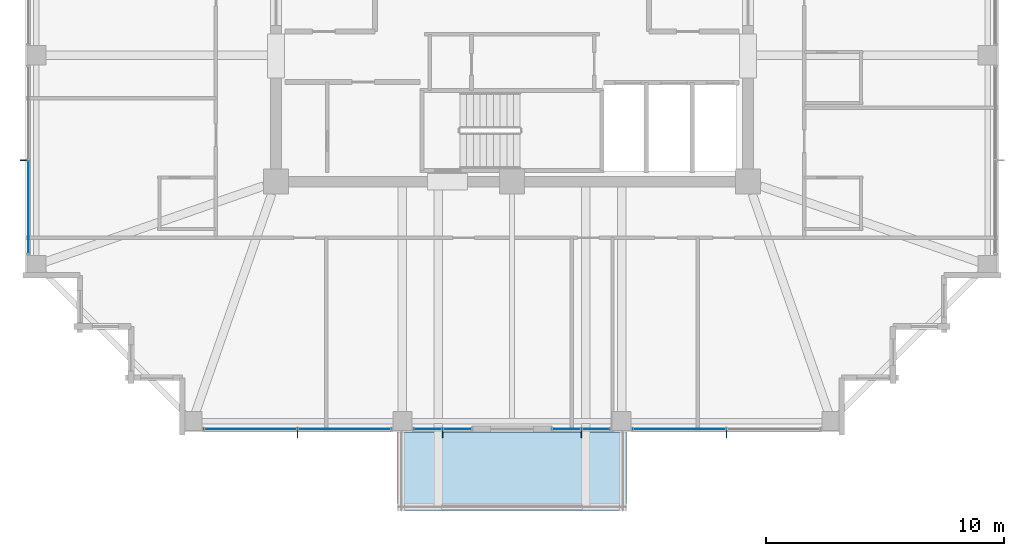
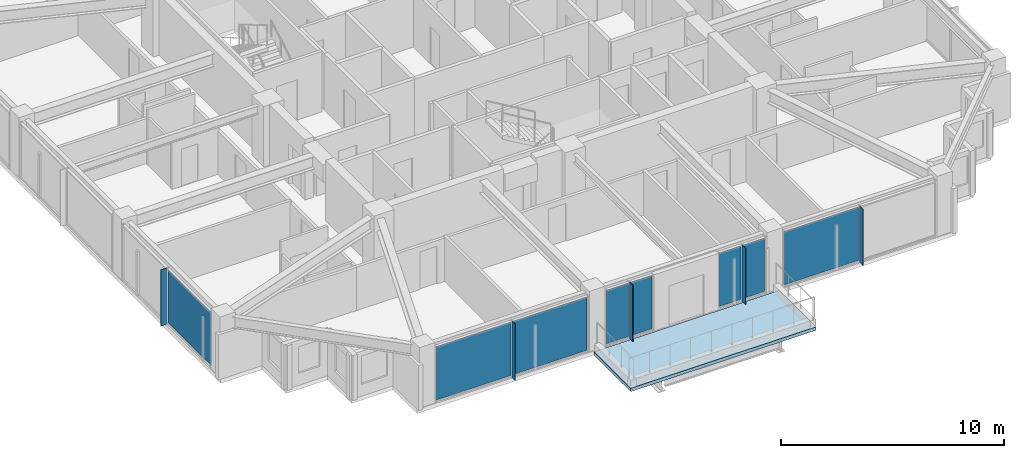
# One storey, part 23 of 36: 13 plates, 1 slab, 5 elements without a shape of their own.
"""IFC4 building model written with IfcOpenShell, lengths in metres."""

from ifc_helpers import new_model, si_unit, direction, frame, origin, origin_2d, place, context, subcontext, project, spatial, polyline, rectangle, outline, extrude, material, layer, layer_set, type_object, element, aggregate, save


model = new_model("IFC4")

# Units and contexts
model_context = context("Model", 3, precision=1e-05, world=origin(), true_north=direction((0.0, 1.0)))
body_context = subcontext(model_context, "Body", "Model", "MODEL_VIEW")
ifc_project = project(units=[si_unit("LENGTHUNIT", "METRE"), si_unit("AREAUNIT", "SQUARE_METRE"), si_unit("VOLUMEUNIT", "CUBIC_METRE"), si_unit("PLANEANGLEUNIT", "RADIAN"), si_unit("MASSUNIT", "GRAM", prefix="KILO")], contexts=[model_context])

# Site, building, storey
site_placement = place(None, origin())
site = spatial("IfcSite", under=ifc_project, at=site_placement, CompositionType="ELEMENT")
building_placement = place(site_placement, origin())
building = spatial("IfcBuilding", under=site, at=building_placement, Name="Kolvaren Belvedere", CompositionType="ELEMENT")
storey_placement = place(building_placement, frame((0.0, 0.0, 226.199951171875)))
storey = spatial("IfcBuildingStorey", under=building, at=storey_placement, Name="L66", CompositionType="ELEMENT", Elevation=226.199951171875)

# Curtain wall, plate
ifc_material_1 = material(Name="Anodised pale-metal aluminium AA 6063-T6", Category="aluminium")
curtain_wall_type = type_object("IfcCurtainWallType", Name="CW-Z5-HIGH", PredefinedType="NOTDEFINED", material=ifc_material_1)
curtain_wall_1_placement = place(storey_placement, origin())
curtain_wall_1 = element("IfcCurtainWall", 1, at=curtain_wall_1_placement, inside=storey, type_object=curtain_wall_type, Name="L66 Unitised Curtain Wall FCW-L66-S1-B1", PredefinedType="NOTDEFINED")
ifc_material_2 = material(Name="Low-iron triple insulated glass", Category="glass")
ifc_layer_1 = layer(ifc_material_2, 0.028076171875)
ifc_layer_set_1 = layer_set([ifc_layer_1], Name="Low-iron triple insulated glass")
plate_type_1 = type_object("IfcPlateType", Name="CW-PNL-VIS28", PredefinedType="CURTAIN_PANEL", material=ifc_layer_set_1)
plate_1_placement = place(storey_placement, frame((7.027587890625, -20.280029296875, 0.080078125), z_axis=(0.0, 0.0, 1.0), x_axis=(-1.0, 0.0, 0.0)))
plate_1 = element("IfcPlate", 2, at=plate_1_placement, type_object=plate_type_1, Name="FCW-L66-S1-B1 Vision Glazing Panel 2", PredefinedType="CURTAIN_PANEL", context=body_context, shape_type="SweptSolid", body=[
    extrude(rectangle(XDim=3.864990234375, YDim=0.028076171875, at=origin_2d()), origin(), (0.0, 0.0, 1.0), 2.919921875),
])
aggregate(curtain_wall_1, [plate_1])

# Curtain wall, plates
curtain_wall_2_placement = place(storey_placement, origin())
curtain_wall_2 = element("IfcCurtainWall", 3, at=curtain_wall_2_placement, inside=storey, type_object=curtain_wall_type, Name="L66 Unitised Curtain Wall FCW-L66-S1-B2", PredefinedType="NOTDEFINED")
plate_2_placement = place(storey_placement, frame((3.52880859375, -20.280029296875, 0.080078125), z_axis=(0.0, 0.0, 1.0), x_axis=(-1.0, 0.0, 0.0)))
plate_2 = element("IfcPlate", 4, at=plate_2_placement, type_object=plate_type_1, Name="FCW-L66-S1-B2 Vision Glazing Panel 1", PredefinedType="CURTAIN_PANEL", context=body_context, shape_type="SweptSolid", body=[
    extrude(rectangle(XDim=1.152587890625, YDim=0.028076171875, at=origin_2d()), origin(), (0.0, 0.0, 1.0), 2.919921875),
])
plate_3_placement = place(storey_placement, frame((2.296142578125, -20.280029296875, 0.080078125), z_axis=(0.0, 0.0, 1.0), x_axis=(-1.0, 0.0, 0.0)))
plate_3 = element("IfcPlate", 5, at=plate_3_placement, type_object=plate_type_1, Name="FCW-L66-S1-B2 Vision Glazing Panel 2", PredefinedType="CURTAIN_PANEL", context=body_context, shape_type="SweptSolid", body=[
    extrude(rectangle(XDim=1.152587890625, YDim=0.028076171875, at=origin_2d()), origin(), (0.0, 0.0, 1.0), 2.919921875),
])
aggregate(curtain_wall_2, [plate_2, plate_3])

curtain_wall_3_placement = place(storey_placement, origin())
curtain_wall_3 = element("IfcCurtainWall", 6, at=curtain_wall_3_placement, inside=storey, type_object=curtain_wall_type, Name="L66 Unitised Curtain Wall FCW-L66-S2-B1", PredefinedType="NOTDEFINED")
plate_4_placement = place(storey_placement, frame((-2.296142578125, -20.280029296875, 0.080078125), z_axis=(0.0, 0.0, 1.0), x_axis=(-1.0, 0.0, 0.0)))
plate_4 = element("IfcPlate", 7, at=plate_4_placement, type_object=plate_type_1, Name="FCW-L66-S2-B1 Vision Glazing Panel 1", PredefinedType="CURTAIN_PANEL", context=body_context, shape_type="SweptSolid", body=[
    extrude(rectangle(XDim=1.152587890625, YDim=0.028076171875, at=origin_2d()), origin(), (0.0, 0.0, 1.0), 2.919921875),
])
plate_5_placement = place(storey_placement, frame((-3.52880859375, -20.280029296875, 0.080078125), z_axis=(0.0, 0.0, 1.0), x_axis=(-1.0, 0.0, 0.0)))
plate_5 = element("IfcPlate", 8, at=plate_5_placement, type_object=plate_type_1, Name="FCW-L66-S2-B1 Vision Glazing Panel 2", PredefinedType="CURTAIN_PANEL", context=body_context, shape_type="SweptSolid", body=[
    extrude(rectangle(XDim=1.152587890625, YDim=0.028076171875, at=origin_2d()), origin(), (0.0, 0.0, 1.0), 2.919921875),
])
aggregate(curtain_wall_3, [plate_4, plate_5])

curtain_wall_4_placement = place(storey_placement, origin())
curtain_wall_4 = element("IfcCurtainWall", 9, at=curtain_wall_4_placement, inside=storey, type_object=curtain_wall_type, Name="L66 Unitised Curtain Wall FCW-L66-S2-B2", PredefinedType="NOTDEFINED")
plate_6_placement = place(storey_placement, frame((-7.027587890625, -20.280029296875, 0.080078125), z_axis=(0.0, 0.0, 1.0), x_axis=(-1.0, 0.0, 0.0)))
plate_6 = element("IfcPlate", 10, at=plate_6_placement, type_object=plate_type_1, Name="FCW-L66-S2-B2 Vision Glazing Panel 1", PredefinedType="CURTAIN_PANEL", context=body_context, shape_type="SweptSolid", body=[
    extrude(rectangle(XDim=3.864990234375, YDim=0.028076171875, at=origin_2d()), origin(), (0.0, 0.0, 1.0), 2.919921875),
])
plate_7_placement = place(storey_placement, frame((-10.972412109375, -20.280029296875, 0.080078125), z_axis=(0.0, 0.0, 1.0), x_axis=(-1.0, 0.0, 0.0)))
plate_7 = element("IfcPlate", 11, at=plate_7_placement, type_object=plate_type_1, Name="FCW-L66-S2-B2 Vision Glazing Panel 2", PredefinedType="CURTAIN_PANEL", context=body_context, shape_type="SweptSolid", body=[
    extrude(rectangle(XDim=3.864990234375, YDim=0.028076171875, at=origin_2d()), origin(), (0.0, 0.0, 1.0), 2.919921875),
])
aggregate(curtain_wall_4, [plate_6, plate_7])

# Curtain wall, plate
curtain_wall_5_placement = place(storey_placement, origin())
curtain_wall_5 = element("IfcCurtainWall", 12, at=curtain_wall_5_placement, inside=storey, type_object=curtain_wall_type, Name="L66 Unitised Curtain Wall FCW-L66-W-B1", PredefinedType="NOTDEFINED")
plate_8_placement = place(storey_placement, frame((-20.280029296875, -10.972412109375, 0.080078125), z_axis=(0.0, 0.0, 1.0), x_axis=(0.0, 1.0, 0.0)))
plate_8 = element("IfcPlate", 13, at=plate_8_placement, type_object=plate_type_1, Name="FCW-L66-W-B1 Vision Glazing Panel 1", PredefinedType="CURTAIN_PANEL", context=body_context, shape_type="SweptSolid", body=[
    extrude(rectangle(XDim=3.864990234375, YDim=0.028076171875, at=origin_2d()), origin(), (0.0, 0.0, 1.0), 2.919921875),
])
aggregate(curtain_wall_5, [plate_8])

# Plates
ifc_material_3 = material(Name="Anodised pale-metal aluminium AA 6063-T6", Category="aluminium")
ifc_layer_2 = layer(ifc_material_3, 0.030029296875)
ifc_layer_set_2 = layer_set([ifc_layer_2], Name="Anodised pale-metal aluminium AA 6063-T6")
plate_type_2 = type_object("IfcPlateType", Name="FIN-VERT-300", PredefinedType="USERDEFINED", material=ifc_layer_set_2)
for number, where, z_axis, x_axis, name in (
    (14, (9.0, -20.489990234375, 0.0), (0.0, 0.0, 1.0), (0.0, 1.0, 0.0), "L66 Pale-Metal Vertical Shading Fin FCW-L66-S1-B1-1"),
    (15, (2.91259765625, -20.489990234375, 0.0), (0.0, 0.0, 1.0), (0.0, 1.0, 0.0), "L66 Pale-Metal Vertical Shading Fin FCW-L66-S1-B2-1"),
    (16, (-2.91259765625, -20.489990234375, 0.0), (0.0, 0.0, 1.0), (0.0, 1.0, 0.0), "L66 Pale-Metal Vertical Shading Fin FCW-L66-S2-B1-1"),
    (17, (-9.0, -20.489990234375, 0.0), (0.0, 0.0, 1.0), (0.0, 1.0, 0.0), "L66 Pale-Metal Vertical Shading Fin FCW-L66-S2-B2-1"),
    (18, (-20.489990234375, -9.0, 0.0), (0.0, 0.0, 1.0), (1.0, 0.0, 0.0), "L66 Pale-Metal Vertical Shading Fin FCW-L66-W-B1-1"),
):
    element("IfcPlate", number, at=place(storey_placement, frame(where, z_axis=z_axis, x_axis=x_axis)), inside=storey, type_object=plate_type_2, Name=name, ObjectType="VERTICAL FIN", PredefinedType="USERDEFINED", context=body_context, shape_type="SweptSolid", body=[
        extrude(rectangle(XDim=0.300048828125, YDim=0.030029296875, at=origin_2d()), origin(), (0.0, 0.0, 1.0), 3.080078125),
    ])

# Slab
ifc_material_4 = material(Name="Concrete C50/60", Category="concrete")
ifc_layer_3 = layer(ifc_material_4, 0.179931640625)
ifc_layer_set_3 = layer_set([ifc_layer_3], Name="Concrete C50/60")
slab_type = type_object("IfcSlabType", Name="SL-BAL-180", PredefinedType="FLOOR", material=ifc_layer_set_3)
slab_placement = place(storey_placement, frame((0.0, 0.0, -0.219970703125)))
element("IfcSlab", 19, at=slab_placement, inside=storey, type_object=slab_type, Name="L66 Planted Sky Terrace SPIRAL-10-S", PredefinedType="FLOOR", context=body_context, shape_type="SweptSolid", body=[
    extrude(outline(polyline([(-4.800048828125, -23.699951171875), (4.800048828125, -23.699951171875), (4.800048828125, -20.39990234375), (-4.800048828125, -20.39990234375), (-4.800048828125, -23.699951171875)])), origin(), (0.0, 0.0, 1.0), 0.179931640625),
])

save(model, "model.ifc")
